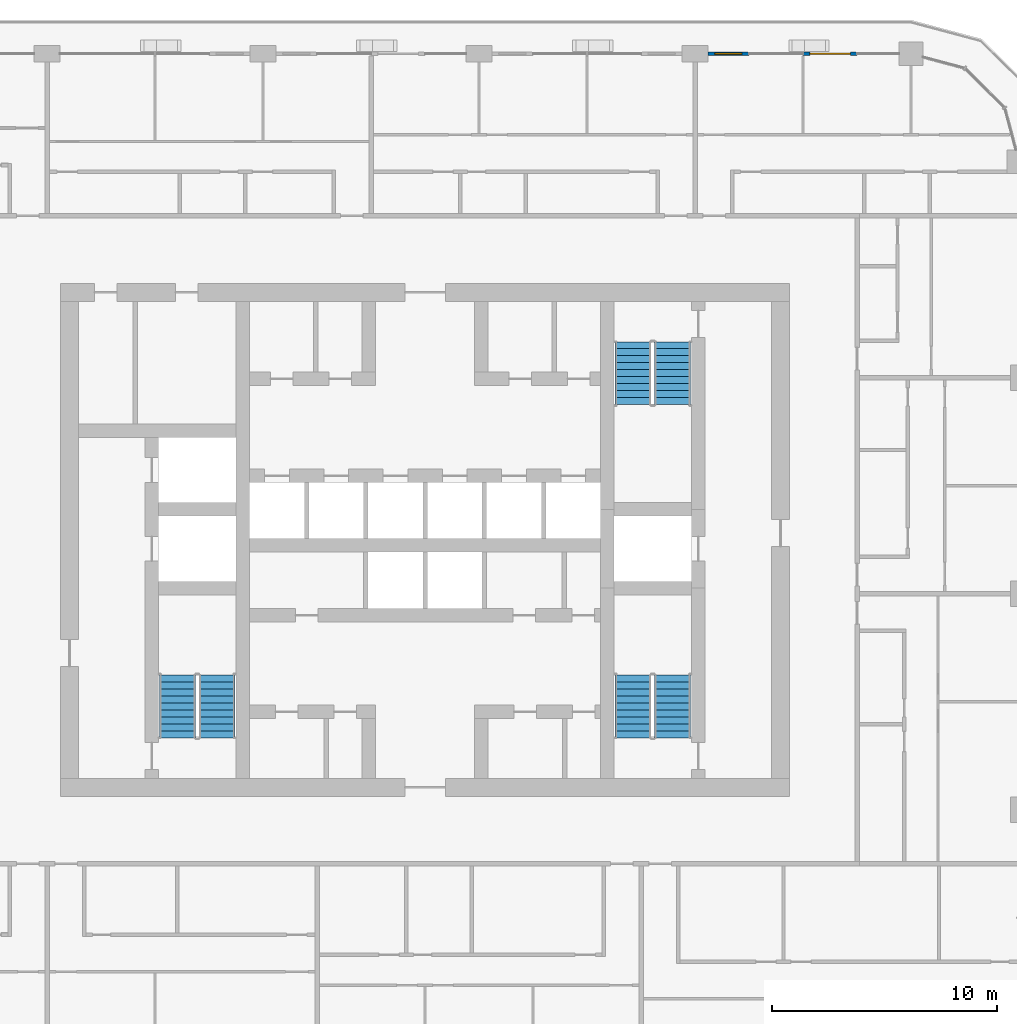
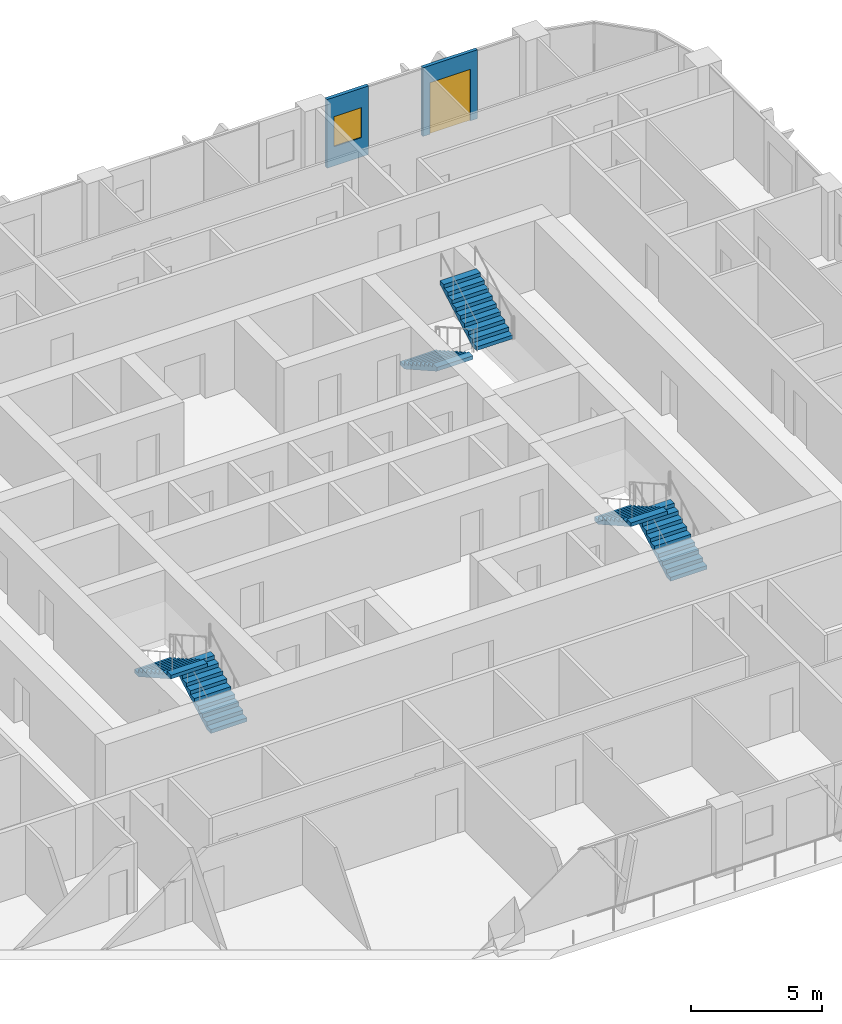
# One storey, part 16 of 22: 6 stair flights, 2 walls, 1 door, 1 window, 2 openings, 3 elements without a shape of their own.
"""IFC4 building model written with IfcOpenShell, lengths in metres."""

from ifc_helpers import new_model, si_unit, direction, frame, frame_2d, origin, place, context, subcontext, project, spatial, polyline, rectangle, outline, extrude, material, layer, layer_set, type_object, element, fill, aggregate, save


model = new_model("IFC4")

# Units and contexts
model_context = context("Model", 3, precision=1e-05, world=origin(), true_north=direction((0.0, 1.0)))
body_context = subcontext(model_context, "Body", "Model", "MODEL_VIEW")
ifc_project = project(units=[si_unit("LENGTHUNIT", "METRE"), si_unit("AREAUNIT", "SQUARE_METRE"), si_unit("VOLUMEUNIT", "CUBIC_METRE"), si_unit("PLANEANGLEUNIT", "RADIAN"), si_unit("MASSUNIT", "GRAM", prefix="KILO")], contexts=[model_context])

# Site, building, storey
site_placement = place(None, origin())
site = spatial("IfcSite", under=ifc_project, at=site_placement, CompositionType="ELEMENT")
building_placement = place(site_placement, origin())
building = spatial("IfcBuilding", under=site, at=building_placement, Name="Madar Terraces", CompositionType="ELEMENT")
storey_placement = place(building_placement, frame((0.0, 0.0, 149.0)))
storey = spatial("IfcBuildingStorey", under=building, at=storey_placement, Name="L38", CompositionType="ELEMENT", Elevation=149.0)

# Wall, opening, door
ifc_material_1 = material(Name="Aluminium composite panel, black, over insulated backing", Category="aluminium")
ifc_layer = layer(ifc_material_1, 0.14990234375)
ifc_layer_set = layer_set([ifc_layer], Name="Facade bay panel 150")
wall_type = type_object("IfcWallType", Name="Facade bay panel 150", PredefinedType="SOLIDWALL", material=ifc_layer_set)
wall_1_placement = place(storey_placement, frame((50.39990234375, 48.0, 0.0), z_axis=(0.0, 0.0, 1.0), x_axis=(-1.0, 0.0, 0.0)))
wall_1 = element("IfcWall", 1, at=wall_1_placement, inside=storey, type_object=wall_type, Name="Facade bay panel", PredefinedType="SOLIDWALL", context=body_context, shape_type="SweptSolid", body=[
    extrude(rectangle(XDim=2.39990234375, YDim=0.14990234375, at=frame_2d((1.199951171875, 0.0))), origin(), (0.0, 0.0, 1.0), 3.199951171875),
])
opening_1_placement = place(wall_1_placement, frame((0.300048828125, 0.0, 0.0)))
opening_1 = element("IfcOpeningElement", 2, at=opening_1_placement, cuts=wall_1, Name="Opening ED1", PredefinedType="OPENING", context=body_context, shape_type="SweptSolid", body=[
    extrude(rectangle(XDim=1.800048828125, YDim=2.39990234375, at=frame_2d((0.89990234375, 1.199951171875))), frame((0.0, 0.0849609375, 0.0), z_axis=(0.0, -1.0, 0.0), x_axis=(1.0, 0.0, 0.0)), (0.0, 0.0, 1.0), 0.169921875),
])
ifc_material_2 = material(Name="Glass, clear, with black aluminium frame", Category="aluminium")
door_type = type_object("IfcDoorType", Name="Balcony and terrace sliding door 1800 x 2400", OperationType="SLIDING_TO_LEFT", PredefinedType="DOOR", material=ifc_material_2)
door_placement = place(opening_1_placement, origin())
door = element("IfcDoor", 3, at=door_placement, inside=storey, type_object=door_type, Name="Balcony door", OperationType="SLIDING_TO_RIGHT", OverallHeight=2.39990234375, OverallWidth=1.800048828125, PredefinedType="DOOR", context=body_context, shape_type="SweptSolid", body=[
    extrude(rectangle(XDim=1.800048828125, YDim=2.39990234375, at=frame_2d((0.89990234375, 1.199951171875))), frame((0.0, 0.02490234375, 0.0), z_axis=(0.0, -1.0, 0.0), x_axis=(1.0, 0.0, 0.0)), (0.0, 0.0, 1.0), 0.050048828125),
])
fill(opening_1, door)

# Wall, opening, window
wall_2_placement = place(storey_placement, frame((45.60009765625, 48.0, 0.0), z_axis=(0.0, 0.0, 1.0), x_axis=(-1.0, 0.0, 0.0)))
wall_2 = element("IfcWall", 4, at=wall_2_placement, inside=storey, type_object=wall_type, Name="Facade bay panel", PredefinedType="SOLIDWALL", context=body_context, shape_type="SweptSolid", body=[
    extrude(rectangle(XDim=1.8251953125, YDim=0.14990234375, at=frame_2d((0.91259765625, 0.0))), origin(), (0.0, 0.0, 1.0), 3.199951171875),
])
opening_2_placement = place(wall_2_placement, frame((0.3125, 0.0, 0.89990234375)))
opening_2 = element("IfcOpeningElement", 5, at=opening_2_placement, cuts=wall_2, Name="Opening W1", PredefinedType="OPENING", context=body_context, shape_type="SweptSolid", body=[
    extrude(rectangle(XDim=1.199951171875, YDim=1.39990234375, at=frame_2d((0.60009765625, 0.699951171875))), frame((0.0, 0.0849609375, 0.0), z_axis=(0.0, -1.0, 0.0), x_axis=(1.0, 0.0, 0.0)), (0.0, 0.0, 1.0), 0.169921875),
])
ifc_material_3 = material(Name="Glass, clear, with black aluminium frame", Category="aluminium")
window_type = type_object("IfcWindowType", Name="Vent window 1200 x 1400", PartitioningType="SINGLE_PANEL", PredefinedType="WINDOW", material=ifc_material_3)
window_placement = place(opening_2_placement, origin())
window = element("IfcWindow", 6, at=window_placement, inside=storey, type_object=window_type, Name="Operable vent window", OverallHeight=1.39990234375, OverallWidth=1.199951171875, PartitioningType="SINGLE_PANEL", PredefinedType="WINDOW", context=body_context, shape_type="SweptSolid", body=[
    extrude(rectangle(XDim=1.199951171875, YDim=1.39990234375, at=frame_2d((0.60009765625, 0.699951171875))), frame((0.0, 0.030029296875, 0.0), z_axis=(0.0, -1.0, 0.0), x_axis=(1.0, 0.0, 0.0)), (0.0, 0.0, 1.0), 0.06005859375),
])
fill(opening_2, window)

# Stair, stair flights
ifc_material_4 = material(Name="Concrete C50/60", Category="concrete")
stair_type_1 = type_object("IfcStairType", Name="Stair ST1 protected exit", PredefinedType="HALF_TURN_STAIR", material=ifc_material_4)
stair_1_placement = place(storey_placement, origin())
stair_1 = element("IfcStair", 7, at=stair_1_placement, inside=storey, type_object=stair_type_1, Name="L38 Protected Exit Stair ST1", PredefinedType="HALF_TURN_STAIR")
ifc_material_5 = material(Name="Concrete C50/60", Category="concrete")
stair_flight_type_1 = type_object("IfcStairFlightType", Name="Stair flight ST1-F4, 1600 wide, 10 risers", PredefinedType="STRAIGHT", material=ifc_material_5)
stair_flight_1_placement = place(storey_placement, frame((21.949951171875, 17.60009765625, 0.0), z_axis=(0.0, 0.0, 1.0), x_axis=(0.0, 1.0, 0.0)))
stair_flight_1 = element("IfcStairFlight", 8, at=stair_flight_1_placement, type_object=stair_flight_type_1, Name="ST1 flight 1", NumberOfRisers=10, NumberOfTreads=9, PredefinedType="STRAIGHT", RiserHeight=0.175, TreadLength=0.31, context=body_context, shape_type="SweptSolid", body=[
    extrude(outline(polyline([(0.0, 0.0), (0.0, 0.175048828125), (0.31005859375, 0.175048828125), (0.31005859375, 0.35009765625), (0.6201171875, 0.35009765625), (0.6201171875, 0.52490234375), (0.929931640625, 0.52490234375), (0.929931640625, 0.699951171875), (1.239990234375, 0.699951171875), (1.239990234375, 0.875), (1.550048828125, 0.875), (1.550048828125, 1.050048828125), (1.860107421875, 1.050048828125), (1.860107421875, 1.22509765625), (2.169921875, 1.22509765625), (2.169921875, 1.39990234375), (2.47998046875, 1.39990234375), (2.47998046875, 1.574951171875), (2.7900390625, 1.574951171875), (2.7900390625, 1.75), (2.7900390625, 1.40283203125), (0.304931640625, 0.0), (0.0, 0.0)])), frame((0.0, 0.800048828125, 0.0), z_axis=(0.0, -1.0, 0.0), x_axis=(1.0, 0.0, 0.0)), (0.0, 0.0, 1.0), 1.60009765625),
])
stair_flight_2_placement = place(storey_placement, frame((20.199951171875, 20.389892578125, 1.75), z_axis=(0.0, 0.0, 1.0), x_axis=(0.0, -1.0, 0.0)))
stair_flight_2 = element("IfcStairFlight", 9, at=stair_flight_2_placement, type_object=stair_flight_type_1, Name="ST1 flight 2", NumberOfRisers=10, NumberOfTreads=9, PredefinedType="STRAIGHT", RiserHeight=0.175, TreadLength=0.31, context=body_context, shape_type="SweptSolid", body=[
    extrude(outline(polyline([(0.0, 0.0), (0.0, 0.175048828125), (0.31005859375, 0.175048828125), (0.31005859375, 0.35009765625), (0.6201171875, 0.35009765625), (0.6201171875, 0.52490234375), (0.929931640625, 0.52490234375), (0.929931640625, 0.699951171875), (1.239990234375, 0.699951171875), (1.239990234375, 0.875), (1.550048828125, 0.875), (1.550048828125, 1.050048828125), (1.860107421875, 1.050048828125), (1.860107421875, 1.22509765625), (2.169921875, 1.22509765625), (2.169921875, 1.39990234375), (2.47998046875, 1.39990234375), (2.47998046875, 1.574951171875), (2.7900390625, 1.574951171875), (2.7900390625, 1.75), (2.7900390625, 1.40283203125), (0.304931640625, 0.0), (0.0, 0.0)])), frame((0.0, 0.800048828125, 0.0), z_axis=(0.0, -1.0, 0.0), x_axis=(1.0, 0.0, 0.0)), (0.0, 0.0, 1.0), 1.60009765625),
])
aggregate(stair_1, [stair_flight_1, stair_flight_2])

ifc_material_6 = material(Name="Concrete C50/60", Category="concrete")
stair_type_2 = type_object("IfcStairType", Name="Stair ST2 protected exit", PredefinedType="HALF_TURN_STAIR", material=ifc_material_6)
stair_2_placement = place(storey_placement, origin())
stair_2 = element("IfcStair", 10, at=stair_2_placement, inside=storey, type_object=stair_type_2, Name="L38 Protected Exit Stair ST2", PredefinedType="HALF_TURN_STAIR")
ifc_material_7 = material(Name="Concrete C50/60", Category="concrete")
stair_flight_type_2 = type_object("IfcStairFlightType", Name="Stair flight ST2-F4, 1600 wide, 10 risers", PredefinedType="STRAIGHT", material=ifc_material_7)
stair_flight_3_placement = place(storey_placement, frame((40.449951171875, 35.199951171875, 0.0), z_axis=(0.0, 0.0, 1.0), x_axis=(0.0, -1.0, 0.0)))
stair_flight_3 = element("IfcStairFlight", 11, at=stair_flight_3_placement, type_object=stair_flight_type_2, Name="ST2 flight 1", NumberOfRisers=10, NumberOfTreads=9, PredefinedType="STRAIGHT", RiserHeight=0.175, TreadLength=0.31, context=body_context, shape_type="SweptSolid", body=[
    extrude(outline(polyline([(0.0, 0.0), (0.0, 0.175048828125), (0.31005859375, 0.175048828125), (0.31005859375, 0.35009765625), (0.6201171875, 0.35009765625), (0.6201171875, 0.52490234375), (0.929931640625, 0.52490234375), (0.929931640625, 0.699951171875), (1.239990234375, 0.699951171875), (1.239990234375, 0.875), (1.550048828125, 0.875), (1.550048828125, 1.050048828125), (1.860107421875, 1.050048828125), (1.860107421875, 1.22509765625), (2.169921875, 1.22509765625), (2.169921875, 1.39990234375), (2.47998046875, 1.39990234375), (2.47998046875, 1.574951171875), (2.7900390625, 1.574951171875), (2.7900390625, 1.75), (2.7900390625, 1.40283203125), (0.304931640625, 0.0), (0.0, 0.0)])), frame((0.0, 0.800048828125, 0.0), z_axis=(0.0, -1.0, 0.0), x_axis=(1.0, 0.0, 0.0)), (0.0, 0.0, 1.0), 1.60009765625),
])
stair_flight_4_placement = place(storey_placement, frame((42.199951171875, 32.409912109375, 1.75), z_axis=(0.0, 0.0, 1.0), x_axis=(0.0, 1.0, 0.0)))
stair_flight_4 = element("IfcStairFlight", 12, at=stair_flight_4_placement, type_object=stair_flight_type_2, Name="ST2 flight 2", NumberOfRisers=10, NumberOfTreads=9, PredefinedType="STRAIGHT", RiserHeight=0.175, TreadLength=0.31, context=body_context, shape_type="SweptSolid", body=[
    extrude(outline(polyline([(0.0, 0.0), (0.0, 0.175048828125), (0.31005859375, 0.175048828125), (0.31005859375, 0.35009765625), (0.6201171875, 0.35009765625), (0.6201171875, 0.52490234375), (0.929931640625, 0.52490234375), (0.929931640625, 0.699951171875), (1.239990234375, 0.699951171875), (1.239990234375, 0.875), (1.550048828125, 0.875), (1.550048828125, 1.050048828125), (1.860107421875, 1.050048828125), (1.860107421875, 1.22509765625), (2.169921875, 1.22509765625), (2.169921875, 1.39990234375), (2.47998046875, 1.39990234375), (2.47998046875, 1.574951171875), (2.7900390625, 1.574951171875), (2.7900390625, 1.75), (2.7900390625, 1.40283203125), (0.304931640625, 0.0), (0.0, 0.0)])), frame((0.0, 0.800048828125, 0.0), z_axis=(0.0, -1.0, 0.0), x_axis=(1.0, 0.0, 0.0)), (0.0, 0.0, 1.0), 1.60009765625),
])
aggregate(stair_2, [stair_flight_3, stair_flight_4])

ifc_material_8 = material(Name="Concrete C50/60", Category="concrete")
stair_type_3 = type_object("IfcStairType", Name="Stair ST3 protected exit", PredefinedType="HALF_TURN_STAIR", material=ifc_material_8)
stair_3_placement = place(storey_placement, origin())
stair_3 = element("IfcStair", 13, at=stair_3_placement, inside=storey, type_object=stair_type_3, Name="L38 Protected Exit Stair ST3", PredefinedType="HALF_TURN_STAIR")
ifc_material_9 = material(Name="Concrete C50/60", Category="concrete")
stair_flight_type_3 = type_object("IfcStairFlightType", Name="Stair flight ST3-F4, 1600 wide, 10 risers", PredefinedType="STRAIGHT", material=ifc_material_9)
stair_flight_5_placement = place(storey_placement, frame((42.199951171875, 17.60009765625, 0.0), z_axis=(0.0, 0.0, 1.0), x_axis=(0.0, 1.0, 0.0)))
stair_flight_5 = element("IfcStairFlight", 14, at=stair_flight_5_placement, type_object=stair_flight_type_3, Name="ST3 flight 1", NumberOfRisers=10, NumberOfTreads=9, PredefinedType="STRAIGHT", RiserHeight=0.175, TreadLength=0.31, context=body_context, shape_type="SweptSolid", body=[
    extrude(outline(polyline([(0.0, 0.0), (0.0, 0.175048828125), (0.31005859375, 0.175048828125), (0.31005859375, 0.35009765625), (0.6201171875, 0.35009765625), (0.6201171875, 0.52490234375), (0.929931640625, 0.52490234375), (0.929931640625, 0.699951171875), (1.239990234375, 0.699951171875), (1.239990234375, 0.875), (1.550048828125, 0.875), (1.550048828125, 1.050048828125), (1.860107421875, 1.050048828125), (1.860107421875, 1.22509765625), (2.169921875, 1.22509765625), (2.169921875, 1.39990234375), (2.47998046875, 1.39990234375), (2.47998046875, 1.574951171875), (2.7900390625, 1.574951171875), (2.7900390625, 1.75), (2.7900390625, 1.40283203125), (0.304931640625, 0.0), (0.0, 0.0)])), frame((0.0, 0.800048828125, 0.0), z_axis=(0.0, -1.0, 0.0), x_axis=(1.0, 0.0, 0.0)), (0.0, 0.0, 1.0), 1.60009765625),
])
stair_flight_6_placement = place(storey_placement, frame((40.449951171875, 20.389892578125, 1.75), z_axis=(0.0, 0.0, 1.0), x_axis=(0.0, -1.0, 0.0)))
stair_flight_6 = element("IfcStairFlight", 15, at=stair_flight_6_placement, type_object=stair_flight_type_3, Name="ST3 flight 2", NumberOfRisers=10, NumberOfTreads=9, PredefinedType="STRAIGHT", RiserHeight=0.175, TreadLength=0.31, context=body_context, shape_type="SweptSolid", body=[
    extrude(outline(polyline([(0.0, 0.0), (0.0, 0.175048828125), (0.31005859375, 0.175048828125), (0.31005859375, 0.35009765625), (0.6201171875, 0.35009765625), (0.6201171875, 0.52490234375), (0.929931640625, 0.52490234375), (0.929931640625, 0.699951171875), (1.239990234375, 0.699951171875), (1.239990234375, 0.875), (1.550048828125, 0.875), (1.550048828125, 1.050048828125), (1.860107421875, 1.050048828125), (1.860107421875, 1.22509765625), (2.169921875, 1.22509765625), (2.169921875, 1.39990234375), (2.47998046875, 1.39990234375), (2.47998046875, 1.574951171875), (2.7900390625, 1.574951171875), (2.7900390625, 1.75), (2.7900390625, 1.40283203125), (0.304931640625, 0.0), (0.0, 0.0)])), frame((0.0, 0.800048828125, 0.0), z_axis=(0.0, -1.0, 0.0), x_axis=(1.0, 0.0, 0.0)), (0.0, 0.0, 1.0), 1.60009765625),
])
aggregate(stair_3, [stair_flight_5, stair_flight_6])

save(model, "model.ifc")
